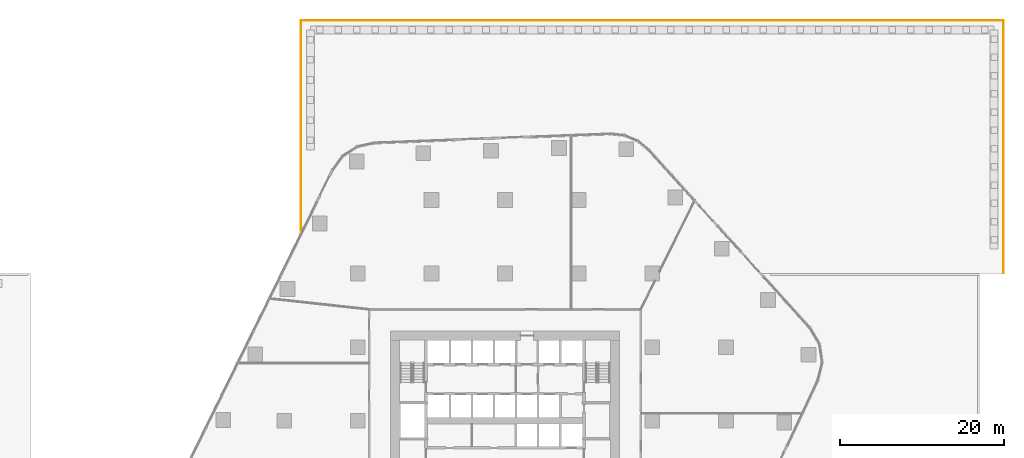
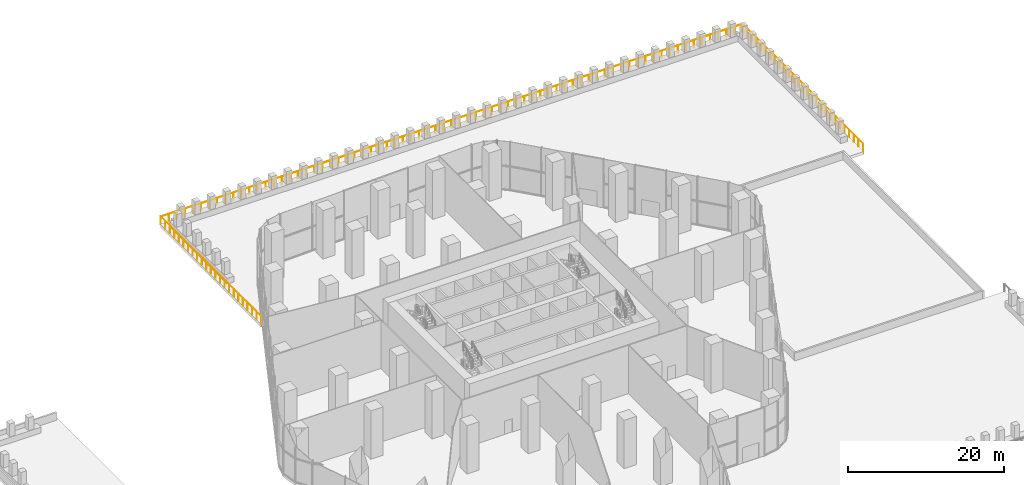
# One storey, part 22 of 22: 1 railing.
"""IFC4 building model written with IfcOpenShell, lengths in metres."""

from ifc_helpers import new_model, si_unit, direction, frame, origin, origin_2d, place, context, subcontext, project, spatial, circle, extrude, material, type_object, element, save


model = new_model("IFC4")

# Units and contexts
model_context = context("Model", 3, precision=1e-05, world=origin(), true_north=direction((0.0, 1.0)))
body_context = subcontext(model_context, "Body", "Model", "MODEL_VIEW")
ifc_project = project(units=[si_unit("LENGTHUNIT", "METRE"), si_unit("AREAUNIT", "SQUARE_METRE"), si_unit("VOLUMEUNIT", "CUBIC_METRE"), si_unit("PLANEANGLEUNIT", "RADIAN"), si_unit("MASSUNIT", "GRAM", prefix="KILO")], contexts=[model_context])

# Site, building, storey
site_placement = place(None, origin())
site = spatial("IfcSite", under=ifc_project, at=site_placement, CompositionType="ELEMENT")
building_placement = place(site_placement, origin())
building = spatial("IfcBuilding", under=site, at=building_placement, Name="Dongbaek Canopy Tower", CompositionType="ELEMENT")
storey_placement = place(building_placement, frame((0.0, 0.0, 19.0)))
storey = spatial("IfcBuildingStorey", under=building, at=storey_placement, Name="L02", CompositionType="ELEMENT", Elevation=19.0)

# Railing
ifc_material = material(Name="Stainless steel", Category="steel")
railing_type = type_object("IfcRailingType", Name="Terrace guard 1200", PredefinedType="GUARDRAIL", material=ifc_material)
railing_placement = place(storey_placement, frame((-24.93994140625, 23.226806640625, 0.0)))
element("IfcRailing", 1, at=railing_placement, inside=storey, type_object=railing_type, Name="Terrace guard L02 1", PredefinedType="GUARDRAIL", context=body_context, shape_type="SweptSolid", body=[
    extrude(circle(Radius=0.02392578125, at=origin_2d()), frame((0.0, 0.0, 1.17578125), z_axis=(0.0, 1.0, 0.0), x_axis=(-1.0, 0.0, 0.0)), (0.0, 0.0, 1.0), 25.711181640625),
    extrude(circle(Radius=0.02392578125, at=origin_2d()), frame((0.0, 25.711181640625, 1.17578125), z_axis=(0.316227766017, 0.948683298051, 0.0), x_axis=(-0.948683298051, 0.316227766017, 0.0)), (0.0, 0.0, 1.0), 0.00146484375),
    extrude(circle(Radius=0.02392578125, at=origin_2d()), frame((0.00048828125, 25.712646484375, 1.17578125), z_axis=(0.948683298051, 0.316227766017, 0.0), x_axis=(-0.316227766017, 0.948683298051, 0.0)), (0.0, 0.0, 1.0), 0.00146484375),
    extrude(circle(Radius=0.02392578125, at=origin_2d()), frame((0.001953125, 25.713134765625, 1.17578125), z_axis=(0.999999999091, -4.2644651e-05, 0.0), x_axis=(4.2644651e-05, 0.999999999091, 0.0)), (0.0, 0.0, 1.0), 85.875),
    extrude(circle(Radius=0.02392578125, at=origin_2d()), frame((85.876953125, 25.70947265625, 1.17578125), z_axis=(0.554700196225, -0.832050294338, 0.0), x_axis=(0.832050294338, 0.554700196225, 0.0)), (0.0, 0.0, 1.0), 0.00537109375),
    extrude(circle(Radius=0.02392578125, at=origin_2d()), frame((85.8798828125, 25.705078125, 1.17578125), z_axis=(-0.000118634281, -0.999999992963, 0.0), x_axis=(0.999999992963, -0.000118634281, 0.0)), (0.0, 0.0, 1.0), 30.868896484375),
    extrude(circle(Radius=0.02392578125, at=origin_2d()), frame((85.876220703125, -5.163818359375, 1.17578125), z_axis=(-0.832050294338, -0.554700196225, 0.0), x_axis=(0.554700196225, -0.832050294338, 0.0)), (0.0, 0.0, 1.0), 0.00537109375),
    extrude(circle(Radius=0.02099609375, at=origin_2d()), origin(), (0.0, 0.0, 1.0), 1.15185546875),
    extrude(circle(Radius=0.02099609375, at=origin_2d()), frame((0.0, 1.168701171875, 0.0)), (0.0, 0.0, 1.0), 1.15185546875),
    extrude(circle(Radius=0.02099609375, at=origin_2d()), frame((0.0, 2.33740234375, 0.0)), (0.0, 0.0, 1.0), 1.15185546875),
    extrude(circle(Radius=0.02099609375, at=origin_2d()), frame((0.0, 3.506103515625, 0.0)), (0.0, 0.0, 1.0), 1.15185546875),
    extrude(circle(Radius=0.02099609375, at=origin_2d()), frame((0.0, 4.6748046875, 0.0)), (0.0, 0.0, 1.0), 1.15185546875),
    extrude(circle(Radius=0.02099609375, at=origin_2d()), frame((0.0, 5.843505859375, 0.0)), (0.0, 0.0, 1.0), 1.15185546875),
    extrude(circle(Radius=0.02099609375, at=origin_2d()), frame((0.0, 7.01220703125, 0.0)), (0.0, 0.0, 1.0), 1.15185546875),
    extrude(circle(Radius=0.02099609375, at=origin_2d()), frame((0.0, 8.180908203125, 0.0)), (0.0, 0.0, 1.0), 1.15185546875),
    extrude(circle(Radius=0.02099609375, at=origin_2d()), frame((0.0, 9.349609375, 0.0)), (0.0, 0.0, 1.0), 1.15185546875),
    extrude(circle(Radius=0.02099609375, at=origin_2d()), frame((0.0, 10.518310546875, 0.0)), (0.0, 0.0, 1.0), 1.15185546875),
    extrude(circle(Radius=0.02099609375, at=origin_2d()), frame((0.0, 11.68701171875, 0.0)), (0.0, 0.0, 1.0), 1.15185546875),
    extrude(circle(Radius=0.02099609375, at=origin_2d()), frame((0.0, 12.85546875, 0.0)), (0.0, 0.0, 1.0), 1.15185546875),
    extrude(circle(Radius=0.02099609375, at=origin_2d()), frame((0.0, 14.024169921875, 0.0)), (0.0, 0.0, 1.0), 1.15185546875),
    extrude(circle(Radius=0.02099609375, at=origin_2d()), frame((0.0, 15.19287109375, 0.0)), (0.0, 0.0, 1.0), 1.15185546875),
    extrude(circle(Radius=0.02099609375, at=origin_2d()), frame((0.0, 16.361572265625, 0.0)), (0.0, 0.0, 1.0), 1.15185546875),
    extrude(circle(Radius=0.02099609375, at=origin_2d()), frame((0.0, 17.5302734375, 0.0)), (0.0, 0.0, 1.0), 1.15185546875),
    extrude(circle(Radius=0.02099609375, at=origin_2d()), frame((0.0, 18.698974609375, 0.0)), (0.0, 0.0, 1.0), 1.15185546875),
    extrude(circle(Radius=0.02099609375, at=origin_2d()), frame((0.0, 19.86767578125, 0.0)), (0.0, 0.0, 1.0), 1.15185546875),
    extrude(circle(Radius=0.02099609375, at=origin_2d()), frame((0.0, 21.036376953125, 0.0)), (0.0, 0.0, 1.0), 1.15185546875),
    extrude(circle(Radius=0.02099609375, at=origin_2d()), frame((0.0, 22.205078125, 0.0)), (0.0, 0.0, 1.0), 1.15185546875),
    extrude(circle(Radius=0.02099609375, at=origin_2d()), frame((0.0, 23.373779296875, 0.0)), (0.0, 0.0, 1.0), 1.15185546875),
    extrude(circle(Radius=0.02099609375, at=origin_2d()), frame((0.0, 24.54248046875, 0.0)), (0.0, 0.0, 1.0), 1.15185546875),
    extrude(circle(Radius=0.02099609375, at=origin_2d()), frame((0.0, 25.711181640625, 0.0)), (0.0, 0.0, 1.0), 1.15185546875),
    extrude(circle(Radius=0.02099609375, at=origin_2d()), frame((0.00048828125, 25.712646484375, 0.0)), (0.0, 0.0, 1.0), 1.15185546875),
    extrude(circle(Radius=0.02099609375, at=origin_2d()), frame((0.001953125, 25.713134765625, 0.0)), (0.0, 0.0, 1.0), 1.15185546875),
    extrude(circle(Radius=0.02099609375, at=origin_2d()), frame((1.194580078125, 25.713134765625, 0.0)), (0.0, 0.0, 1.0), 1.15185546875),
    extrude(circle(Radius=0.02099609375, at=origin_2d()), frame((2.387451171875, 25.713134765625, 0.0)), (0.0, 0.0, 1.0), 1.15185546875),
    extrude(circle(Radius=0.02099609375, at=origin_2d()), frame((3.580078125, 25.712890625, 0.0)), (0.0, 0.0, 1.0), 1.15185546875),
    extrude(circle(Radius=0.02099609375, at=origin_2d()), frame((4.772705078125, 25.712890625, 0.0)), (0.0, 0.0, 1.0), 1.15185546875),
    extrude(circle(Radius=0.02099609375, at=origin_2d()), frame((5.965576171875, 25.712890625, 0.0)), (0.0, 0.0, 1.0), 1.15185546875),
    extrude(circle(Radius=0.02099609375, at=origin_2d()), frame((7.158203125, 25.712890625, 0.0)), (0.0, 0.0, 1.0), 1.15185546875),
    extrude(circle(Radius=0.02099609375, at=origin_2d()), frame((8.350830078125, 25.712890625, 0.0)), (0.0, 0.0, 1.0), 1.15185546875),
    extrude(circle(Radius=0.02099609375, at=origin_2d()), frame((9.543701171875, 25.712646484375, 0.0)), (0.0, 0.0, 1.0), 1.15185546875),
    extrude(circle(Radius=0.02099609375, at=origin_2d()), frame((10.736328125, 25.712646484375, 0.0)), (0.0, 0.0, 1.0), 1.15185546875),
    extrude(circle(Radius=0.02099609375, at=origin_2d()), frame((11.928955078125, 25.712646484375, 0.0)), (0.0, 0.0, 1.0), 1.15185546875),
    extrude(circle(Radius=0.02099609375, at=origin_2d()), frame((13.121826171875, 25.712646484375, 0.0)), (0.0, 0.0, 1.0), 1.15185546875),
    extrude(circle(Radius=0.02099609375, at=origin_2d()), frame((14.314453125, 25.71240234375, 0.0)), (0.0, 0.0, 1.0), 1.15185546875),
    extrude(circle(Radius=0.02099609375, at=origin_2d()), frame((15.507080078125, 25.71240234375, 0.0)), (0.0, 0.0, 1.0), 1.15185546875),
    extrude(circle(Radius=0.02099609375, at=origin_2d()), frame((16.699951171875, 25.71240234375, 0.0)), (0.0, 0.0, 1.0), 1.15185546875),
    extrude(circle(Radius=0.02099609375, at=origin_2d()), frame((17.892578125, 25.71240234375, 0.0)), (0.0, 0.0, 1.0), 1.15185546875),
    extrude(circle(Radius=0.02099609375, at=origin_2d()), frame((19.085205078125, 25.71240234375, 0.0)), (0.0, 0.0, 1.0), 1.15185546875),
    extrude(circle(Radius=0.02099609375, at=origin_2d()), frame((20.278076171875, 25.712158203125, 0.0)), (0.0, 0.0, 1.0), 1.15185546875),
    extrude(circle(Radius=0.02099609375, at=origin_2d()), frame((21.470703125, 25.712158203125, 0.0)), (0.0, 0.0, 1.0), 1.15185546875),
    extrude(circle(Radius=0.02099609375, at=origin_2d()), frame((22.663330078125, 25.712158203125, 0.0)), (0.0, 0.0, 1.0), 1.15185546875),
    extrude(circle(Radius=0.02099609375, at=origin_2d()), frame((23.856201171875, 25.712158203125, 0.0)), (0.0, 0.0, 1.0), 1.15185546875),
    extrude(circle(Radius=0.02099609375, at=origin_2d()), frame((25.048828125, 25.712158203125, 0.0)), (0.0, 0.0, 1.0), 1.15185546875),
    extrude(circle(Radius=0.02099609375, at=origin_2d()), frame((26.241455078125, 25.7119140625, 0.0)), (0.0, 0.0, 1.0), 1.15185546875),
    extrude(circle(Radius=0.02099609375, at=origin_2d()), frame((27.434326171875, 25.7119140625, 0.0)), (0.0, 0.0, 1.0), 1.15185546875),
    extrude(circle(Radius=0.02099609375, at=origin_2d()), frame((28.626953125, 25.7119140625, 0.0)), (0.0, 0.0, 1.0), 1.15185546875),
    extrude(circle(Radius=0.02099609375, at=origin_2d()), frame((29.819580078125, 25.7119140625, 0.0)), (0.0, 0.0, 1.0), 1.15185546875),
    extrude(circle(Radius=0.02099609375, at=origin_2d()), frame((31.012451171875, 25.7119140625, 0.0)), (0.0, 0.0, 1.0), 1.15185546875),
    extrude(circle(Radius=0.02099609375, at=origin_2d()), frame((32.205078125, 25.711669921875, 0.0)), (0.0, 0.0, 1.0), 1.15185546875),
    extrude(circle(Radius=0.02099609375, at=origin_2d()), frame((33.397705078125, 25.711669921875, 0.0)), (0.0, 0.0, 1.0), 1.15185546875),
    extrude(circle(Radius=0.02099609375, at=origin_2d()), frame((34.590576171875, 25.711669921875, 0.0)), (0.0, 0.0, 1.0), 1.15185546875),
    extrude(circle(Radius=0.02099609375, at=origin_2d()), frame((35.783203125, 25.711669921875, 0.0)), (0.0, 0.0, 1.0), 1.15185546875),
    extrude(circle(Radius=0.02099609375, at=origin_2d()), frame((36.975830078125, 25.711669921875, 0.0)), (0.0, 0.0, 1.0), 1.15185546875),
    extrude(circle(Radius=0.02099609375, at=origin_2d()), frame((38.168701171875, 25.71142578125, 0.0)), (0.0, 0.0, 1.0), 1.15185546875),
    extrude(circle(Radius=0.02099609375, at=origin_2d()), frame((39.361328125, 25.71142578125, 0.0)), (0.0, 0.0, 1.0), 1.15185546875),
    extrude(circle(Radius=0.02099609375, at=origin_2d()), frame((40.553955078125, 25.71142578125, 0.0)), (0.0, 0.0, 1.0), 1.15185546875),
    extrude(circle(Radius=0.02099609375, at=origin_2d()), frame((41.746826171875, 25.71142578125, 0.0)), (0.0, 0.0, 1.0), 1.15185546875),
    extrude(circle(Radius=0.02099609375, at=origin_2d()), frame((42.939453125, 25.71142578125, 0.0)), (0.0, 0.0, 1.0), 1.15185546875),
    extrude(circle(Radius=0.02099609375, at=origin_2d()), frame((44.132080078125, 25.711181640625, 0.0)), (0.0, 0.0, 1.0), 1.15185546875),
    extrude(circle(Radius=0.02099609375, at=origin_2d()), frame((45.324951171875, 25.711181640625, 0.0)), (0.0, 0.0, 1.0), 1.15185546875),
    extrude(circle(Radius=0.02099609375, at=origin_2d()), frame((46.517578125, 25.711181640625, 0.0)), (0.0, 0.0, 1.0), 1.15185546875),
    extrude(circle(Radius=0.02099609375, at=origin_2d()), frame((47.710205078125, 25.711181640625, 0.0)), (0.0, 0.0, 1.0), 1.15185546875),
    extrude(circle(Radius=0.02099609375, at=origin_2d()), frame((48.903076171875, 25.7109375, 0.0)), (0.0, 0.0, 1.0), 1.15185546875),
    extrude(circle(Radius=0.02099609375, at=origin_2d()), frame((50.095703125, 25.7109375, 0.0)), (0.0, 0.0, 1.0), 1.15185546875),
    extrude(circle(Radius=0.02099609375, at=origin_2d()), frame((51.288330078125, 25.7109375, 0.0)), (0.0, 0.0, 1.0), 1.15185546875),
    extrude(circle(Radius=0.02099609375, at=origin_2d()), frame((52.481201171875, 25.7109375, 0.0)), (0.0, 0.0, 1.0), 1.15185546875),
    extrude(circle(Radius=0.02099609375, at=origin_2d()), frame((53.673828125, 25.7109375, 0.0)), (0.0, 0.0, 1.0), 1.15185546875),
    extrude(circle(Radius=0.02099609375, at=origin_2d()), frame((54.866455078125, 25.710693359375, 0.0)), (0.0, 0.0, 1.0), 1.15185546875),
    extrude(circle(Radius=0.02099609375, at=origin_2d()), frame((56.059326171875, 25.710693359375, 0.0)), (0.0, 0.0, 1.0), 1.15185546875),
    extrude(circle(Radius=0.02099609375, at=origin_2d()), frame((57.251953125, 25.710693359375, 0.0)), (0.0, 0.0, 1.0), 1.15185546875),
    extrude(circle(Radius=0.02099609375, at=origin_2d()), frame((58.444580078125, 25.710693359375, 0.0)), (0.0, 0.0, 1.0), 1.15185546875),
    extrude(circle(Radius=0.02099609375, at=origin_2d()), frame((59.637451171875, 25.710693359375, 0.0)), (0.0, 0.0, 1.0), 1.15185546875),
    extrude(circle(Radius=0.02099609375, at=origin_2d()), frame((60.830078125, 25.71044921875, 0.0)), (0.0, 0.0, 1.0), 1.15185546875),
    extrude(circle(Radius=0.02099609375, at=origin_2d()), frame((62.022705078125, 25.71044921875, 0.0)), (0.0, 0.0, 1.0), 1.15185546875),
    extrude(circle(Radius=0.02099609375, at=origin_2d()), frame((63.215576171875, 25.71044921875, 0.0)), (0.0, 0.0, 1.0), 1.15185546875),
    extrude(circle(Radius=0.02099609375, at=origin_2d()), frame((64.408203125, 25.71044921875, 0.0)), (0.0, 0.0, 1.0), 1.15185546875),
    extrude(circle(Radius=0.02099609375, at=origin_2d()), frame((65.600830078125, 25.71044921875, 0.0)), (0.0, 0.0, 1.0), 1.15185546875),
    extrude(circle(Radius=0.02099609375, at=origin_2d()), frame((66.793701171875, 25.710205078125, 0.0)), (0.0, 0.0, 1.0), 1.15185546875),
    extrude(circle(Radius=0.02099609375, at=origin_2d()), frame((67.986328125, 25.710205078125, 0.0)), (0.0, 0.0, 1.0), 1.15185546875),
    extrude(circle(Radius=0.02099609375, at=origin_2d()), frame((69.178955078125, 25.710205078125, 0.0)), (0.0, 0.0, 1.0), 1.15185546875),
    extrude(circle(Radius=0.02099609375, at=origin_2d()), frame((70.371826171875, 25.710205078125, 0.0)), (0.0, 0.0, 1.0), 1.15185546875),
    extrude(circle(Radius=0.02099609375, at=origin_2d()), frame((71.564453125, 25.7099609375, 0.0)), (0.0, 0.0, 1.0), 1.15185546875),
    extrude(circle(Radius=0.02099609375, at=origin_2d()), frame((72.757080078125, 25.7099609375, 0.0)), (0.0, 0.0, 1.0), 1.15185546875),
    extrude(circle(Radius=0.02099609375, at=origin_2d()), frame((73.949951171875, 25.7099609375, 0.0)), (0.0, 0.0, 1.0), 1.15185546875),
    extrude(circle(Radius=0.02099609375, at=origin_2d()), frame((75.142578125, 25.7099609375, 0.0)), (0.0, 0.0, 1.0), 1.15185546875),
    extrude(circle(Radius=0.02099609375, at=origin_2d()), frame((76.335205078125, 25.7099609375, 0.0)), (0.0, 0.0, 1.0), 1.15185546875),
    extrude(circle(Radius=0.02099609375, at=origin_2d()), frame((77.528076171875, 25.709716796875, 0.0)), (0.0, 0.0, 1.0), 1.15185546875),
    extrude(circle(Radius=0.02099609375, at=origin_2d()), frame((78.720703125, 25.709716796875, 0.0)), (0.0, 0.0, 1.0), 1.15185546875),
    extrude(circle(Radius=0.02099609375, at=origin_2d()), frame((79.913330078125, 25.709716796875, 0.0)), (0.0, 0.0, 1.0), 1.15185546875),
    extrude(circle(Radius=0.02099609375, at=origin_2d()), frame((81.106201171875, 25.709716796875, 0.0)), (0.0, 0.0, 1.0), 1.15185546875),
    extrude(circle(Radius=0.02099609375, at=origin_2d()), frame((82.298828125, 25.709716796875, 0.0)), (0.0, 0.0, 1.0), 1.15185546875),
    extrude(circle(Radius=0.02099609375, at=origin_2d()), frame((83.491455078125, 25.70947265625, 0.0)), (0.0, 0.0, 1.0), 1.15185546875),
    extrude(circle(Radius=0.02099609375, at=origin_2d()), frame((84.684326171875, 25.70947265625, 0.0)), (0.0, 0.0, 1.0), 1.15185546875),
    extrude(circle(Radius=0.02099609375, at=origin_2d()), frame((85.876953125, 25.70947265625, 0.0)), (0.0, 0.0, 1.0), 1.15185546875),
    extrude(circle(Radius=0.02099609375, at=origin_2d()), frame((85.8798828125, 25.705078125, 0.0)), (0.0, 0.0, 1.0), 1.15185546875),
    extrude(circle(Radius=0.02099609375, at=origin_2d()), frame((85.879638671875, 24.517822265625, 0.0)), (0.0, 0.0, 1.0), 1.15185546875),
    extrude(circle(Radius=0.02099609375, at=origin_2d()), frame((85.879638671875, 23.33056640625, 0.0)), (0.0, 0.0, 1.0), 1.15185546875),
    extrude(circle(Radius=0.02099609375, at=origin_2d()), frame((85.87939453125, 22.143310546875, 0.0)), (0.0, 0.0, 1.0), 1.15185546875),
    extrude(circle(Radius=0.02099609375, at=origin_2d()), frame((85.87939453125, 20.9560546875, 0.0)), (0.0, 0.0, 1.0), 1.15185546875),
    extrude(circle(Radius=0.02099609375, at=origin_2d()), frame((85.879150390625, 19.768798828125, 0.0)), (0.0, 0.0, 1.0), 1.15185546875),
    extrude(circle(Radius=0.02099609375, at=origin_2d()), frame((85.879150390625, 18.58154296875, 0.0)), (0.0, 0.0, 1.0), 1.15185546875),
    extrude(circle(Radius=0.02099609375, at=origin_2d()), frame((85.87890625, 17.394287109375, 0.0)), (0.0, 0.0, 1.0), 1.15185546875),
    extrude(circle(Radius=0.02099609375, at=origin_2d()), frame((85.878662109375, 16.20703125, 0.0)), (0.0, 0.0, 1.0), 1.15185546875),
    extrude(circle(Radius=0.02099609375, at=origin_2d()), frame((85.878662109375, 15.019775390625, 0.0)), (0.0, 0.0, 1.0), 1.15185546875),
    extrude(circle(Radius=0.02099609375, at=origin_2d()), frame((85.87841796875, 13.83251953125, 0.0)), (0.0, 0.0, 1.0), 1.15185546875),
    extrude(circle(Radius=0.02099609375, at=origin_2d()), frame((85.87841796875, 12.645263671875, 0.0)), (0.0, 0.0, 1.0), 1.15185546875),
    extrude(circle(Radius=0.02099609375, at=origin_2d()), frame((85.878173828125, 11.4580078125, 0.0)), (0.0, 0.0, 1.0), 1.15185546875),
    extrude(circle(Radius=0.02099609375, at=origin_2d()), frame((85.8779296875, 10.2705078125, 0.0)), (0.0, 0.0, 1.0), 1.15185546875),
    extrude(circle(Radius=0.02099609375, at=origin_2d()), frame((85.8779296875, 9.083251953125, 0.0)), (0.0, 0.0, 1.0), 1.15185546875),
    extrude(circle(Radius=0.02099609375, at=origin_2d()), frame((85.877685546875, 7.89599609375, 0.0)), (0.0, 0.0, 1.0), 1.15185546875),
    extrude(circle(Radius=0.02099609375, at=origin_2d()), frame((85.877685546875, 6.708740234375, 0.0)), (0.0, 0.0, 1.0), 1.15185546875),
    extrude(circle(Radius=0.02099609375, at=origin_2d()), frame((85.87744140625, 5.521484375, 0.0)), (0.0, 0.0, 1.0), 1.15185546875),
    extrude(circle(Radius=0.02099609375, at=origin_2d()), frame((85.87744140625, 4.334228515625, 0.0)), (0.0, 0.0, 1.0), 1.15185546875),
    extrude(circle(Radius=0.02099609375, at=origin_2d()), frame((85.877197265625, 3.14697265625, 0.0)), (0.0, 0.0, 1.0), 1.15185546875),
    extrude(circle(Radius=0.02099609375, at=origin_2d()), frame((85.876953125, 1.959716796875, 0.0)), (0.0, 0.0, 1.0), 1.15185546875),
    extrude(circle(Radius=0.02099609375, at=origin_2d()), frame((85.876953125, 0.7724609375, 0.0)), (0.0, 0.0, 1.0), 1.15185546875),
    extrude(circle(Radius=0.02099609375, at=origin_2d()), frame((85.876708984375, -0.414794921875, 0.0)), (0.0, 0.0, 1.0), 1.15185546875),
    extrude(circle(Radius=0.02099609375, at=origin_2d()), frame((85.876708984375, -1.60205078125, 0.0)), (0.0, 0.0, 1.0), 1.15185546875),
    extrude(circle(Radius=0.02099609375, at=origin_2d()), frame((85.87646484375, -2.789306640625, 0.0)), (0.0, 0.0, 1.0), 1.15185546875),
    extrude(circle(Radius=0.02099609375, at=origin_2d()), frame((85.87646484375, -3.9765625, 0.0)), (0.0, 0.0, 1.0), 1.15185546875),
    extrude(circle(Radius=0.02099609375, at=origin_2d()), frame((85.876220703125, -5.163818359375, 0.0)), (0.0, 0.0, 1.0), 1.15185546875),
    extrude(circle(Radius=0.02099609375, at=origin_2d()), frame((85.871826171875, -5.166748046875, 0.0)), (0.0, 0.0, 1.0), 1.15185546875),
])

save(model, "model.ifc")
